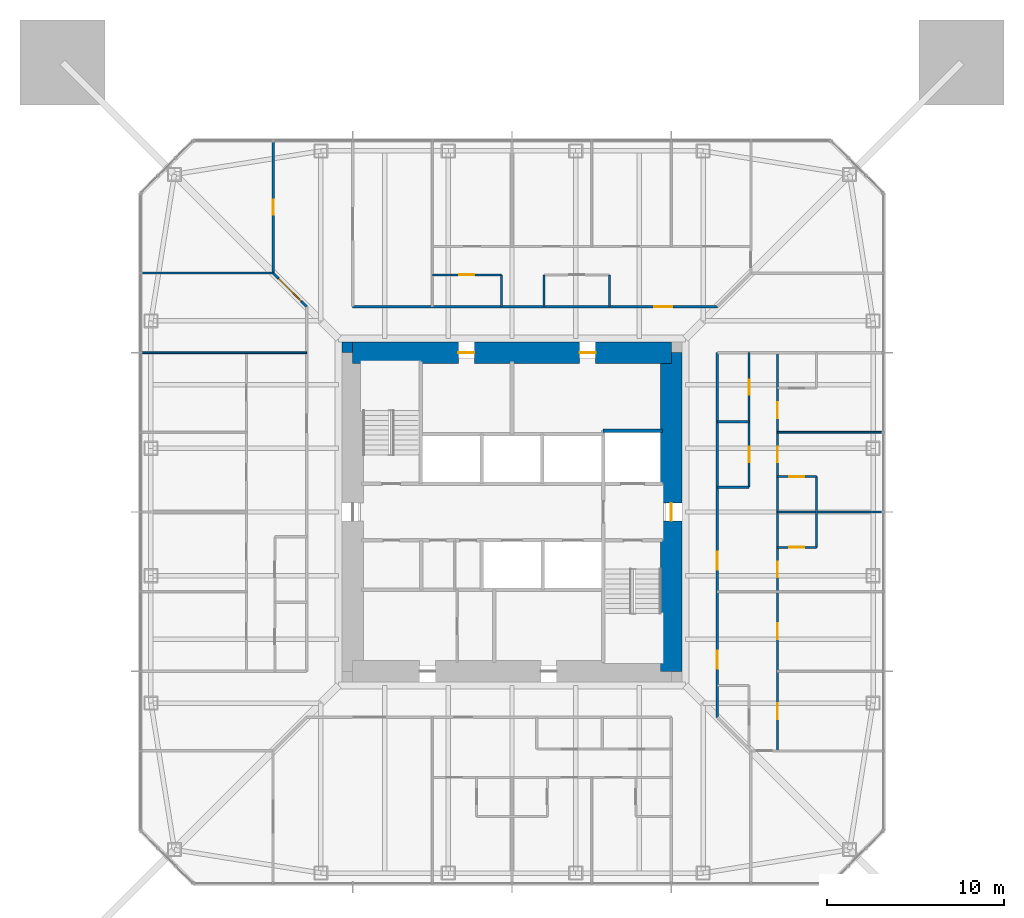
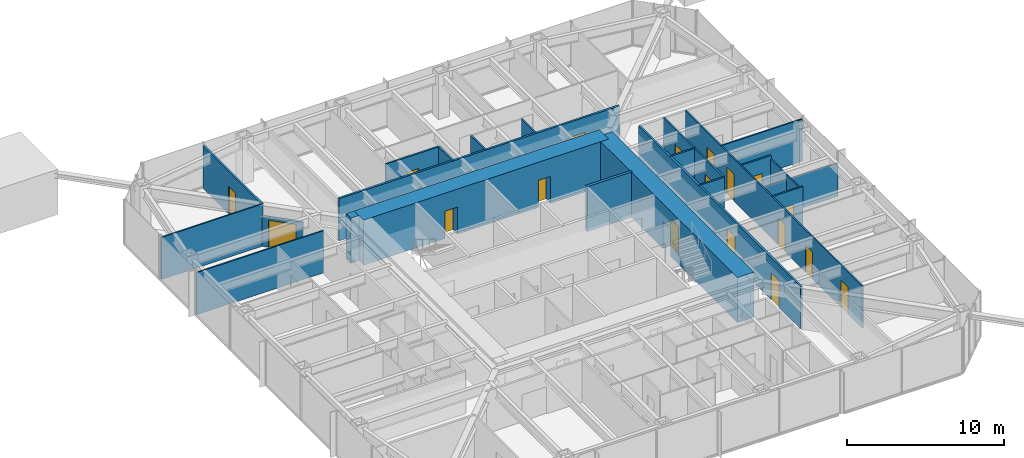
# One storey, part 9 of 14: 23 walls, 18 doors, 18 openings.
"""IFC4 building model written with IfcOpenShell, lengths in metres."""

import ifcopenshell
import ifcopenshell.guid

model = None  # the IFC model being written
_history = None  # IfcOwnerHistory: only IFC2X3 demands one
_inside = {}  # id of a spatial element -> (the spatial element, [elements in it])
_under = {}  # id of a project, library or spatial element -> (it, [spatial elements below it])
_declared = {}  # id of a project -> (the project, [libraries it declares])
_typed = {}  # id of a type object -> (the type object, [elements of that type])
_made_of = {}  # id of a material, layer set ... -> (it, [elements and type objects made of it])


def new_model(schema):
    """Start an empty IFC model of exactly this schema.

    Asked for "IFC4X3", IfcOpenShell would pick the latest addendum, in which some entities
    have other attributes; the version numbers below select the first issue.
    IFC2X3 requires an IfcOwnerHistory on every rooted entity: one is made here for all.
    """
    global model, _history
    if schema == "IFC4X3":
        model = ifcopenshell.file(schema_version=(4, 3, 0, 0))
    else:
        model = ifcopenshell.file(schema=schema)
    _inside.clear()
    _under.clear()
    _declared.clear()
    _typed.clear()
    _made_of.clear()
    _history = None
    if model.schema == "IFC2X3":
        org = make("IfcOrganization", Name="unknown")
        user = make(
            "IfcPersonAndOrganization",
            ThePerson=make("IfcPerson", FamilyName="unknown"),
            TheOrganization=org,
        )
        app = make(
            "IfcApplication",
            ApplicationDeveloper=org,
            Version="unknown",
            ApplicationFullName="unknown",
            ApplicationIdentifier="unknown",
        )
        _history = make(
            "IfcOwnerHistory",
            OwningUser=user,
            OwningApplication=app,
            ChangeAction="ADDED",
            CreationDate=0,
        )
    return model


def make(cls, **values):
    """One entity of the class cls with the attributes given. An attribute that is None is left unset."""
    return model.create_entity(
        cls, **{name: value for name, value in values.items() if value is not None}
    )


def rooted(cls, **values):
    """An entity with a GlobalId (a new one), such as an element, a storey or a relation."""
    return make(cls, GlobalId=ifcopenshell.guid.new(), OwnerHistory=_history, **values)


def si_unit(unit_type, name, prefix=None):
    """IfcSIUnit, for example si_unit("LENGTHUNIT", "METRE", prefix="MILLI")."""
    return make("IfcSIUnit", UnitType=unit_type, Prefix=prefix, Name=name)


def assignment(units):
    """IfcUnitAssignment: the units of a project."""
    return None if units is None else make("IfcUnitAssignment", Units=units)


def point(xyz):
    """IfcCartesianPoint."""
    return None if xyz is None else make("IfcCartesianPoint", Coordinates=xyz)


def direction(xyz):
    """IfcDirection."""
    return None if xyz is None else make("IfcDirection", DirectionRatios=xyz)


def frame(location, z_axis=None, x_axis=None):
    """IfcAxis2Placement3D, a coordinate frame: its origin and axes. An axis left out is left unset."""
    return make(
        "IfcAxis2Placement3D",
        Location=point(location),
        Axis=direction(z_axis),
        RefDirection=direction(x_axis),
    )


def frame_2d(location, x_axis=None):
    """IfcAxis2Placement2D, a coordinate frame in the plane: its origin and x axis."""
    return make(
        "IfcAxis2Placement2D", Location=point(location), RefDirection=direction(x_axis)
    )


def origin():
    """The frame at (0, 0, 0) with its axes left unset."""
    return frame((0.0, 0.0, 0.0))


def place(relative_to, where):
    """IfcLocalPlacement: puts the frame where relative to a parent placement (None: the world)."""
    return make(
        "IfcLocalPlacement", PlacementRelTo=relative_to, RelativePlacement=where
    )


def context(
    kind, dimensions, precision=None, world=None, true_north=None, identifier=None
):
    """IfcGeometricRepresentationContext, for example the 3D "Model" context."""
    return make(
        "IfcGeometricRepresentationContext",
        ContextIdentifier=identifier,
        ContextType=kind,
        CoordinateSpaceDimension=dimensions,
        Precision=precision,
        WorldCoordinateSystem=world,
        TrueNorth=true_north,
    )


def subcontext(parent, identifier, kind, view, scale=None):
    """IfcGeometricRepresentationSubContext, for example "Body" below "Model"."""
    return make(
        "IfcGeometricRepresentationSubContext",
        ContextIdentifier=identifier,
        ContextType=kind,
        ParentContext=parent,
        TargetScale=scale,
        TargetView=view,
    )


def project(units=None, contexts=None):
    """IfcProject with its units and contexts."""
    return rooted(
        "IfcProject",
        Name="project",
        RepresentationContexts=contexts,
        UnitsInContext=assignment(units),
    )


def spatial(cls, under=None, at=None, **own):
    """A site, building, storey or space (cls), placed at a placement, below another one or the project."""
    s = rooted(cls, ObjectPlacement=at, **own)
    if under is not None:
        _under.setdefault(under.id(), (under, []))[1].append(s)
    return s


def profile(cls, at=None, kind="AREA", **sizes):
    """A parametric profile (cls). Its sizes go by their IFC names, for example OverallWidth=200.0."""
    return make(cls, ProfileType=kind, Position=at, **sizes)


def rectangle(**sizes):
    """IfcRectangleProfileDef."""
    return profile("IfcRectangleProfileDef", **sizes)


def extrude(swept, where, along, depth):
    """IfcExtrudedAreaSolid: the profile swept, set in the frame where, extruded along a direction by depth."""
    return make(
        "IfcExtrudedAreaSolid",
        SweptArea=swept,
        Position=where,
        ExtrudedDirection=direction(along),
        Depth=depth,
    )


def shape(context_of_items, identifier, shape_type, items):
    """IfcShapeRepresentation: the items that make up one representation, for example the "Body"."""
    return make(
        "IfcShapeRepresentation",
        ContextOfItems=context_of_items,
        RepresentationIdentifier=identifier,
        RepresentationType=shape_type,
        Items=items,
    )


def material(Name=None, Category=None):
    """IfcMaterial."""
    return make("IfcMaterial", Name=Name, Category=Category)


def layer(
    of_material, thickness, ventilated=None, Name=None, Category=None, Priority=None
):
    """IfcMaterialLayer: one layer of a wall or slab, of a material (None: an air gap)."""
    return make(
        "IfcMaterialLayer",
        Material=of_material,
        LayerThickness=thickness,
        IsVentilated=ventilated,
        Name=Name,
        Category=Category,
        Priority=Priority,
    )


def layer_set(layers, Name=None):
    """IfcMaterialLayerSet."""
    return make("IfcMaterialLayerSet", MaterialLayers=layers, LayerSetName=Name)


def made_of(thing, what):
    """Note that an element or type object is made of a material, layer set ...; save() writes the relation."""
    if what is not None:
        _made_of.setdefault(what.id(), (what, []))[1].append(thing)
    return thing


def type_object(cls, material=None, **own):
    """A type object (cls), such as IfcWallType, which elements share."""
    return made_of(rooted(cls, **own), material)


def element(
    cls,
    number,
    at=None,
    inside=None,
    cuts=None,
    type_object=None,
    material=None,
    context=None,
    identifier="Body",
    shape_type=None,
    held_by="IfcProductDefinitionShape",
    body=None,
    shapes=None,
    **own,
):
    """One element of the class cls, such as IfcWall. Its Tag is "e" and its number.

    at: its placement. inside: the storey or other place that contains it. cuts: it is an
    opening in that element (IfcRelVoidsElement). A single representation is given by context,
    identifier, shape_type and body (its items); several are given by shapes. held_by: the class
    of the entity that holds the representations. save() writes the other relations.
    """
    e = rooted(cls, Tag="e%d" % number, ObjectPlacement=at, **own)
    if body is not None:
        shapes = [shape(context, identifier, shape_type, body)]
    if shapes is not None:
        e.Representation = make(held_by, Representations=shapes)
    if inside is not None:
        _inside.setdefault(inside.id(), (inside, []))[1].append(e)
    if cuts is not None:
        rooted(
            "IfcRelVoidsElement", RelatingBuildingElement=cuts, RelatedOpeningElement=e
        )
    if type_object is not None:
        _typed.setdefault(type_object.id(), (type_object, []))[1].append(e)
    return made_of(e, material)


def fill(opening, filler):
    """IfcRelFillsElement: the door or window that sits in an opening."""
    return rooted(
        "IfcRelFillsElement",
        RelatingOpeningElement=opening,
        RelatedBuildingElement=filler,
    )


def aggregate(whole, parts):
    """IfcRelAggregates: a whole, such as a stair, and the parts it consists of."""
    return rooted("IfcRelAggregates", RelatingObject=whole, RelatedObjects=parts)


def save(model, path):
    """Write the relations noted so far, then the file.

    IfcRelAggregates (storeys below a building ...), IfcRelContainedInSpatialStructure (elements
    in a storey), IfcRelDefinesByType, IfcRelAssociatesMaterial and IfcRelDeclares: one each for
    every whole, place, type object, material and project.
    """
    for whole, parts in _under.values():
        aggregate(whole, parts)
    for where, things in _inside.values():
        rooted(
            "IfcRelContainedInSpatialStructure",
            RelatedElements=things,
            RelatingStructure=where,
        )
    for kind, things in _typed.values():
        rooted("IfcRelDefinesByType", RelatedObjects=things, RelatingType=kind)
    for what, things in _made_of.values():
        rooted("IfcRelAssociatesMaterial", RelatedObjects=things, RelatingMaterial=what)
    for by, libraries in _declared.values():
        rooted("IfcRelDeclares", RelatingContext=by, RelatedDefinitions=libraries)
    model.write(path)


model = new_model("IFC4")

# Units and contexts
model_context = context("Model", 3, precision=1e-05, world=origin(), true_north=direction((0.0, 1.0)))
body_context = subcontext(model_context, "Body", "Model", "MODEL_VIEW")
ifc_project = project(units=[si_unit("LENGTHUNIT", "METRE"), si_unit("AREAUNIT", "SQUARE_METRE"), si_unit("VOLUMEUNIT", "CUBIC_METRE"), si_unit("PLANEANGLEUNIT", "RADIAN"), si_unit("MASSUNIT", "GRAM", prefix="KILO")], contexts=[model_context])

# Site, building, storey
site_placement = place(None, origin())
site = spatial("IfcSite", under=ifc_project, at=site_placement, CompositionType="ELEMENT")
building_placement = place(site_placement, origin())
building = spatial("IfcBuilding", under=site, at=building_placement, Name="Iwan Alto Co-Living Towers", CompositionType="ELEMENT")
storey_placement = place(building_placement, frame((0.0, 0.0, 136.5)))
storey = spatial("IfcBuildingStorey", under=building, at=storey_placement, Name="L37", CompositionType="ELEMENT", Elevation=136.5)

# Wall, opening, door
ifc_material_1 = material(Name="Gypsum board")
ifc_layer_1 = layer(ifc_material_1, 0.02490234375, Name="Board", Category="Finish")
ifc_material_2 = material(Name="Steel ASTM A1003 ST33H cold-formed studs", Category="steel")
ifc_layer_2 = layer(ifc_material_2, 0.10009765625, Name="Studs", Category="Framing")
ifc_layer_3 = layer(ifc_material_1, 0.02490234375, Name="Board", Category="Finish")
ifc_layer_set_1 = layer_set([ifc_layer_1, ifc_layer_2, ifc_layer_3], Name="CORRIDOR WALL 150")
wall_type_1 = type_object("IfcWallType", Name="CORRIDOR WALL 150", PredefinedType="PARTITIONING", material=ifc_layer_set_1)
wall_1_placement = place(storey_placement, frame((-9.0, 11.60009765625, 0.0), z_axis=(0.0, 0.0, 1.0), x_axis=(1.0, 0.0, 0.0)))
wall_1 = element("IfcWall", 1, at=wall_1_placement, inside=storey, type_object=wall_type_1, Name="Partition L37", PredefinedType="PARTITIONING", context=body_context, shape_type="SweptSolid", body=[
    extrude(rectangle(XDim=20.60009765625, YDim=0.14990234375, at=frame_2d((10.300048828125, 0.0))), origin(), (0.0, 0.0, 1.0), 3.27001953125),
])
opening_1_placement = place(wall_1_placement, frame((17.050048828125, 0.0, 0.0)))
opening_1 = element("IfcOpeningElement", 2, at=opening_1_placement, cuts=wall_1, Name="Opening D3", PredefinedType="OPENING", context=body_context, shape_type="SweptSolid", body=[
    extrude(rectangle(XDim=1.0, YDim=2.10009765625, at=frame_2d((0.5, 1.050048828125))), frame((0.0, 0.0849609375, 0.0), z_axis=(0.0, -1.0, 0.0), x_axis=(1.0, 0.0, 0.0)), (0.0, 0.0, 1.0), 0.169921875),
])
ifc_material_3 = material(Name="Steel frame with timber leaf", Category="steel")
door_type_1 = type_object("IfcDoorType", Name="FLAT ENTRANCE DOOR FD30S 1000X2100", OperationType="SINGLE_SWING_LEFT", PredefinedType="DOOR", material=ifc_material_3)
door_1_placement = place(opening_1_placement, origin())
door_1 = element("IfcDoor", 3, at=door_1_placement, inside=storey, type_object=door_type_1, Name="Cluster lounge door L37", OperationType="SINGLE_SWING_LEFT", OverallHeight=2.10009765625, OverallWidth=1.0, PredefinedType="DOOR", context=body_context, shape_type="SweptSolid", body=[
    extrude(rectangle(XDim=1.0, YDim=2.10009765625, at=frame_2d((0.5, 1.050048828125))), frame((0.0, 0.02490234375, 0.0), z_axis=(0.0, -1.0, 0.0), x_axis=(1.0, 0.0, 0.0)), (0.0, 0.0, 1.0), 0.050048828125),
])
fill(opening_1, door_1)

# Wall, openings, doors
wall_2_placement = place(storey_placement, frame((11.60009765625, -11.60009765625, 0.0), z_axis=(0.0, 0.0, 1.0), x_axis=(0.0, 1.0, 0.0)))
wall_2 = element("IfcWall", 4, at=wall_2_placement, inside=storey, type_object=wall_type_1, Name="Partition L37", PredefinedType="PARTITIONING", context=body_context, shape_type="SweptSolid", body=[
    extrude(rectangle(XDim=20.60009765625, YDim=0.14990234375, at=frame_2d((10.300048828125, 0.0))), origin(), (0.0, 0.0, 1.0), 3.27001953125),
])
opening_2_placement = place(wall_2_placement, frame((2.75, 0.0, 0.0)))
opening_2 = element("IfcOpeningElement", 5, at=opening_2_placement, cuts=wall_2, Name="Opening D3", PredefinedType="OPENING", context=body_context, shape_type="SweptSolid", body=[
    extrude(rectangle(XDim=1.0, YDim=2.10009765625, at=frame_2d((0.5, 1.050048828125))), frame((0.0, 0.0849609375, 0.0), z_axis=(0.0, -1.0, 0.0), x_axis=(1.0, 0.0, 0.0)), (0.0, 0.0, 1.0), 0.169921875),
])
opening_3_placement = place(wall_2_placement, frame((8.35009765625, 0.0, 0.0)))
opening_3 = element("IfcOpeningElement", 6, at=opening_3_placement, cuts=wall_2, Name="Opening D3", PredefinedType="OPENING", context=body_context, shape_type="SweptSolid", body=[
    extrude(rectangle(XDim=1.0, YDim=2.10009765625, at=frame_2d((0.5, 1.050048828125))), frame((0.0, 0.0849609375, 0.0), z_axis=(0.0, -1.0, 0.0), x_axis=(1.0, 0.0, 0.0)), (0.0, 0.0, 1.0), 0.169921875),
])
door_2_placement = place(opening_2_placement, frame((1.0, 0.0, 0.0), z_axis=(0.0, 0.0, 1.0), x_axis=(-1.0, 0.0, 0.0)))
door_2 = element("IfcDoor", 7, at=door_2_placement, inside=storey, type_object=door_type_1, Name="Cluster lounge door L37", OperationType="SINGLE_SWING_RIGHT", OverallHeight=2.10009765625, OverallWidth=1.0, PredefinedType="DOOR", context=body_context, shape_type="SweptSolid", body=[
    extrude(rectangle(XDim=1.0, YDim=2.10009765625, at=frame_2d((0.5, 1.050048828125))), frame((0.0, 0.02490234375, 0.0), z_axis=(0.0, -1.0, 0.0), x_axis=(1.0, 0.0, 0.0)), (0.0, 0.0, 1.0), 0.050048828125),
])
fill(opening_2, door_2)
door_3_placement = place(opening_3_placement, frame((1.0, 0.0, 0.0), z_axis=(0.0, 0.0, 1.0), x_axis=(-1.0, 0.0, 0.0)))
door_3 = element("IfcDoor", 8, at=door_3_placement, inside=storey, type_object=door_type_1, Name="Cluster lounge and shared kitchen door L37", OperationType="SINGLE_SWING_RIGHT", OverallHeight=2.10009765625, OverallWidth=1.0, PredefinedType="DOOR", context=body_context, shape_type="SweptSolid", body=[
    extrude(rectangle(XDim=1.0, YDim=2.10009765625, at=frame_2d((0.5, 1.050048828125))), frame((0.0, 0.02490234375, 0.0), z_axis=(0.0, -1.0, 0.0), x_axis=(1.0, 0.0, 0.0)), (0.0, 0.0, 1.0), 0.050048828125),
])
fill(opening_3, door_3)

# Wall, opening, door
wall_3_placement = place(storey_placement, frame((-13.5, 13.5, 0.0), z_axis=(0.0, 0.0, 1.0), x_axis=(0.0, 1.0, 0.0)))
wall_3 = element("IfcWall", 9, at=wall_3_placement, inside=storey, type_object=wall_type_1, Name="Partition L37", PredefinedType="PARTITIONING", context=body_context, shape_type="SweptSolid", body=[
    extrude(rectangle(XDim=7.43994140625, YDim=0.14990234375, at=frame_2d((3.719970703125, 0.0))), origin(), (0.0, 0.0, 1.0), 3.27001953125),
])
opening_4_placement = place(wall_3_placement, frame((3.294921875, 0.0, 0.0)))
opening_4 = element("IfcOpeningElement", 10, at=opening_4_placement, cuts=wall_3, Name="Opening D2", PredefinedType="OPENING", context=body_context, shape_type="SweptSolid", body=[
    extrude(rectangle(XDim=0.85009765625, YDim=2.10009765625, at=frame_2d((0.425048828125, 1.050048828125))), frame((0.0, 0.0849609375, 0.0), z_axis=(0.0, -1.0, 0.0), x_axis=(1.0, 0.0, 0.0)), (0.0, 0.0, 1.0), 0.169921875),
])
ifc_material_4 = material(Name="Timber leaf in steel frame", Category="steel")
door_type_2 = type_object("IfcDoorType", Name="ROOM DOOR 850X2100", OperationType="SINGLE_SWING_LEFT", PredefinedType="DOOR", material=ifc_material_4)
door_4_placement = place(opening_4_placement, origin())
door_4 = element("IfcDoor", 11, at=door_4_placement, inside=storey, type_object=door_type_2, Name="Shared kitchen and lounge door L37", OperationType="SINGLE_SWING_LEFT", OverallHeight=2.10009765625, OverallWidth=0.85009765625, PredefinedType="DOOR", context=body_context, shape_type="SweptSolid", body=[
    extrude(rectangle(XDim=0.85009765625, YDim=2.10009765625, at=frame_2d((0.425048828125, 1.050048828125))), frame((0.0, 0.02490234375, 0.0), z_axis=(0.0, -1.0, 0.0), x_axis=(1.0, 0.0, 0.0)), (0.0, 0.0, 1.0), 0.050048828125),
])
fill(opening_4, door_4)

wall_4_placement = place(storey_placement, frame((-11.60009765625, 11.60009765625, 0.0), z_axis=(0.0, 0.0, 1.0), x_axis=(-0.707106781187, 0.707106781187, 0.0)))
wall_4 = element("IfcWall", 12, at=wall_4_placement, inside=storey, type_object=wall_type_1, Name="Partition L37", PredefinedType="PARTITIONING", context=body_context, shape_type="SweptSolid", body=[
    extrude(rectangle(XDim=2.686767578125, YDim=0.14990234375, at=frame_2d((1.34326171875, 0.0))), origin(), (0.0, 0.0, 1.0), 2.343017578125),
])
opening_5_placement = place(wall_4_placement, frame((0.444091796875, 0.0, 0.0)))
opening_5 = element("IfcOpeningElement", 13, at=opening_5_placement, cuts=wall_4, Name="Opening D9", PredefinedType="OPENING", context=body_context, shape_type="SweptSolid", body=[
    extrude(rectangle(XDim=1.800048828125, YDim=2.10009765625, at=frame_2d((0.89990234375, 1.050048828125))), frame((0.0, 0.0849609375, 0.0), z_axis=(0.0, -1.0, 0.0), x_axis=(1.0, 0.0, 0.0)), (0.0, 0.0, 1.0), 0.169921875),
])
ifc_material_5 = material(Name="Steel frame with timber leaf", Category="steel")
door_type_3 = type_object("IfcDoorType", Name="LOUNGE DOOR FD30S 1800X2100", OperationType="DOUBLE_DOOR_SINGLE_SWING", PredefinedType="DOOR", material=ifc_material_5)
door_5_placement = place(opening_5_placement, origin())
door_5 = element("IfcDoor", 14, at=door_5_placement, inside=storey, type_object=door_type_3, Name="Reading room door L37", OperationType="DOUBLE_DOOR_SINGLE_SWING", OverallHeight=2.10009765625, OverallWidth=1.800048828125, PredefinedType="DOOR", context=body_context, shape_type="SweptSolid", body=[
    extrude(rectangle(XDim=1.800048828125, YDim=2.10009765625, at=frame_2d((0.89990234375, 1.050048828125))), frame((0.0, 0.02490234375, 0.0), z_axis=(0.0, -1.0, 0.0), x_axis=(1.0, 0.0, 0.0)), (0.0, 0.0, 1.0), 0.050048828125),
])
fill(opening_5, door_5)

# Walls
ifc_layer_4 = layer(ifc_material_1, 0.012451171875, Name="Board", Category="Finish")
ifc_layer_5 = layer(ifc_material_2, 0.074951171875, Name="Studs", Category="Framing")
ifc_layer_6 = layer(ifc_material_1, 0.012451171875, Name="Board", Category="Finish")
ifc_layer_set_2 = layer_set([ifc_layer_4, ifc_layer_5, ifc_layer_6], Name="PARTITION 100")
wall_type_2 = type_object("IfcWallType", Name="PARTITION 100", PredefinedType="PARTITIONING", material=ifc_layer_set_2)
wall_5_placement = place(storey_placement, frame((15.0, 0.0, 0.0), z_axis=(0.0, 0.0, 1.0), x_axis=(1.0, 0.0, 0.0)))
element("IfcWall", 15, at=wall_5_placement, inside=storey, type_object=wall_type_2, Name="Partition L37", PredefinedType="PARTITIONING", context=body_context, shape_type="SweptSolid", body=[
    extrude(rectangle(XDim=5.93994140625, YDim=0.10009765625, at=frame_2d((2.969970703125, 0.0))), origin(), (0.0, 0.0, 1.0), 2.586669921875),
])
wall_6_placement = place(storey_placement, frame((15.0, 4.5, 0.0), z_axis=(0.0, 0.0, 1.0), x_axis=(1.0, 0.0, 0.0)))
element("IfcWall", 16, at=wall_6_placement, inside=storey, type_object=wall_type_2, Name="Partition L37", PredefinedType="PARTITIONING", context=body_context, shape_type="SweptSolid", body=[
    extrude(rectangle(XDim=5.93994140625, YDim=0.10009765625, at=frame_2d((2.969970703125, 0.0))), origin(), (0.0, 0.0, 1.0), 3.27001953125),
])
wall_7_placement = place(storey_placement, frame((-20.93994140625, 9.0, 0.0), z_axis=(0.0, 0.0, 1.0), x_axis=(1.0, 0.0, 0.0)))
element("IfcWall", 17, at=wall_7_placement, inside=storey, type_object=wall_type_2, Name="Partition L37", PredefinedType="PARTITIONING", context=body_context, shape_type="SweptSolid", body=[
    extrude(rectangle(XDim=9.33984375, YDim=0.10009765625, at=frame_2d((4.669921875, 0.0))), origin(), (0.0, 0.0, 1.0), 3.27001953125),
])
wall_8_placement = place(storey_placement, frame((-20.93994140625, 13.5, 0.0), z_axis=(0.0, 0.0, 1.0), x_axis=(1.0, 0.0, 0.0)))
element("IfcWall", 18, at=wall_8_placement, inside=storey, type_object=wall_type_2, Name="Partition L37", PredefinedType="PARTITIONING", context=body_context, shape_type="SweptSolid", body=[
    extrude(rectangle(XDim=7.43994140625, YDim=0.10009765625, at=frame_2d((3.719970703125, 0.0))), origin(), (0.0, 0.0, 1.0), 3.27001953125),
])
wall_9_placement = place(storey_placement, frame((17.199951171875, -2.0, 0.0), z_axis=(0.0, 0.0, 1.0), x_axis=(0.0, 1.0, 0.0)))
element("IfcWall", 19, at=wall_9_placement, inside=storey, type_object=wall_type_2, Name="Partition L37", PredefinedType="PARTITIONING", context=body_context, shape_type="SweptSolid", body=[
    extrude(rectangle(XDim=4.0, YDim=0.10009765625, at=frame_2d((2.0, 0.0))), origin(), (0.0, 0.0, 1.0), 3.0),
])

# Wall, openings, doors
wall_10_placement = place(storey_placement, frame((15.0, -13.5, 0.0), z_axis=(0.0, 0.0, 1.0), x_axis=(0.0, 1.0, 0.0)))
wall_10 = element("IfcWall", 20, at=wall_10_placement, inside=storey, type_object=wall_type_2, Name="Partition L37", PredefinedType="PARTITIONING", context=body_context, shape_type="SweptSolid", body=[
    extrude(rectangle(XDim=22.5, YDim=0.10009765625, at=frame_2d((11.25, 0.0))), origin(), (0.0, 0.0, 1.0), 3.27001953125),
])
opening_6_placement = place(wall_10_placement, frame((1.800048828125, 0.0, 0.0)))
opening_6 = element("IfcOpeningElement", 21, at=opening_6_placement, cuts=wall_10, Name="Opening D1", PredefinedType="OPENING", context=body_context, shape_type="SweptSolid", body=[
    extrude(rectangle(XDim=0.89990234375, YDim=2.10009765625, at=frame_2d((0.449951171875, 1.050048828125))), frame((0.0, 0.06005859375, 0.0), z_axis=(0.0, -1.0, 0.0), x_axis=(1.0, 0.0, 0.0)), (0.0, 0.0, 1.0), 0.1201171875),
])
opening_7_placement = place(wall_10_placement, frame((6.300048828125, 0.0, 0.0)))
opening_7 = element("IfcOpeningElement", 22, at=opening_7_placement, cuts=wall_10, Name="Opening D1", PredefinedType="OPENING", context=body_context, shape_type="SweptSolid", body=[
    extrude(rectangle(XDim=0.89990234375, YDim=2.10009765625, at=frame_2d((0.449951171875, 1.050048828125))), frame((0.0, 0.06005859375, 0.0), z_axis=(0.0, -1.0, 0.0), x_axis=(1.0, 0.0, 0.0)), (0.0, 0.0, 1.0), 0.1201171875),
])
opening_8_placement = place(wall_10_placement, frame((9.800048828125, 0.0, 0.0)))
opening_8 = element("IfcOpeningElement", 23, at=opening_8_placement, cuts=wall_10, Name="Opening D1", PredefinedType="OPENING", context=body_context, shape_type="SweptSolid", body=[
    extrude(rectangle(XDim=0.89990234375, YDim=2.10009765625, at=frame_2d((0.449951171875, 1.050048828125))), frame((0.0, 0.06005859375, 0.0), z_axis=(0.0, -1.0, 0.0), x_axis=(1.0, 0.0, 0.0)), (0.0, 0.0, 1.0), 0.1201171875),
])
opening_9_placement = place(wall_10_placement, frame((16.300048828125, 0.0, 0.0)))
opening_9 = element("IfcOpeningElement", 24, at=opening_9_placement, cuts=wall_10, Name="Opening D1", PredefinedType="OPENING", context=body_context, shape_type="SweptSolid", body=[
    extrude(rectangle(XDim=0.89990234375, YDim=2.10009765625, at=frame_2d((0.449951171875, 1.050048828125))), frame((0.0, 0.06005859375, 0.0), z_axis=(0.0, -1.0, 0.0), x_axis=(1.0, 0.0, 0.0)), (0.0, 0.0, 1.0), 0.1201171875),
])
opening_10_placement = place(wall_10_placement, frame((18.800048828125, 0.0, 0.0)))
opening_10 = element("IfcOpeningElement", 25, at=opening_10_placement, cuts=wall_10, Name="Opening D1", PredefinedType="OPENING", context=body_context, shape_type="SweptSolid", body=[
    extrude(rectangle(XDim=0.89990234375, YDim=2.10009765625, at=frame_2d((0.449951171875, 1.050048828125))), frame((0.0, 0.06005859375, 0.0), z_axis=(0.0, -1.0, 0.0), x_axis=(1.0, 0.0, 0.0)), (0.0, 0.0, 1.0), 0.1201171875),
])
ifc_material_6 = material(Name="Timber leaf in steel frame", Category="steel")
door_type_4 = type_object("IfcDoorType", Name="BEDROOM DOOR 900X2100", OperationType="SINGLE_SWING_LEFT", PredefinedType="DOOR", material=ifc_material_6)
door_6_placement = place(opening_6_placement, frame((0.89990234375, 0.0, 0.0), z_axis=(0.0, 0.0, 1.0), x_axis=(-1.0, 0.0, 0.0)))
door_6 = element("IfcDoor", 26, at=door_6_placement, inside=storey, type_object=door_type_4, Name="Study bedroom door L37", OperationType="SINGLE_SWING_RIGHT", OverallHeight=2.10009765625, OverallWidth=0.89990234375, PredefinedType="DOOR", context=body_context, shape_type="SweptSolid", body=[
    extrude(rectangle(XDim=0.89990234375, YDim=2.10009765625, at=frame_2d((0.449951171875, 1.050048828125))), frame((0.0, 0.02490234375, 0.0), z_axis=(0.0, -1.0, 0.0), x_axis=(1.0, 0.0, 0.0)), (0.0, 0.0, 1.0), 0.050048828125),
])
fill(opening_6, door_6)
door_7_placement = place(opening_7_placement, frame((0.89990234375, 0.0, 0.0), z_axis=(0.0, 0.0, 1.0), x_axis=(-1.0, 0.0, 0.0)))
door_7 = element("IfcDoor", 27, at=door_7_placement, inside=storey, type_object=door_type_4, Name="Study bedroom door L37", OperationType="SINGLE_SWING_RIGHT", OverallHeight=2.10009765625, OverallWidth=0.89990234375, PredefinedType="DOOR", context=body_context, shape_type="SweptSolid", body=[
    extrude(rectangle(XDim=0.89990234375, YDim=2.10009765625, at=frame_2d((0.449951171875, 1.050048828125))), frame((0.0, 0.02490234375, 0.0), z_axis=(0.0, -1.0, 0.0), x_axis=(1.0, 0.0, 0.0)), (0.0, 0.0, 1.0), 0.050048828125),
])
fill(opening_7, door_7)
door_8_placement = place(opening_8_placement, origin())
door_8 = element("IfcDoor", 28, at=door_8_placement, inside=storey, type_object=door_type_4, Name="Study bedroom door L37", OperationType="SINGLE_SWING_LEFT", OverallHeight=2.10009765625, OverallWidth=0.89990234375, PredefinedType="DOOR", context=body_context, shape_type="SweptSolid", body=[
    extrude(rectangle(XDim=0.89990234375, YDim=2.10009765625, at=frame_2d((0.449951171875, 1.050048828125))), frame((0.0, 0.02490234375, 0.0), z_axis=(0.0, -1.0, 0.0), x_axis=(1.0, 0.0, 0.0)), (0.0, 0.0, 1.0), 0.050048828125),
])
fill(opening_8, door_8)
door_9_placement = place(opening_9_placement, origin())
door_9 = element("IfcDoor", 29, at=door_9_placement, inside=storey, type_object=door_type_4, Name="Study bedroom door L37", OperationType="SINGLE_SWING_RIGHT", OverallHeight=2.10009765625, OverallWidth=0.89990234375, PredefinedType="DOOR", context=body_context, shape_type="SweptSolid", body=[
    extrude(rectangle(XDim=0.89990234375, YDim=2.10009765625, at=frame_2d((0.449951171875, 1.050048828125))), frame((0.0, 0.02490234375, 0.0), z_axis=(0.0, -1.0, 0.0), x_axis=(1.0, 0.0, 0.0)), (0.0, 0.0, 1.0), 0.050048828125),
])
fill(opening_9, door_9)
door_10_placement = place(opening_10_placement, origin())
door_10 = element("IfcDoor", 30, at=door_10_placement, inside=storey, type_object=door_type_4, Name="Study bedroom door L37", OperationType="SINGLE_SWING_RIGHT", OverallHeight=2.10009765625, OverallWidth=0.89990234375, PredefinedType="DOOR", context=body_context, shape_type="SweptSolid", body=[
    extrude(rectangle(XDim=0.89990234375, YDim=2.10009765625, at=frame_2d((0.449951171875, 1.050048828125))), frame((0.0, 0.02490234375, 0.0), z_axis=(0.0, -1.0, 0.0), x_axis=(1.0, 0.0, 0.0)), (0.0, 0.0, 1.0), 0.050048828125),
])
fill(opening_10, door_10)

# Walls
ifc_material_7 = material(Name="Concrete f'c 70 MPa", Category="concrete")
ifc_layer_7 = layer(ifc_material_7, 0.199951171875)
ifc_layer_set_3 = layer_set([ifc_layer_7], Name="SHAFT WALL 200")
wall_type_3 = type_object("IfcWallType", Name="SHAFT WALL 200", PredefinedType="SOLIDWALL", material=ifc_layer_set_3)
wall_11_placement = place(storey_placement, frame((5.14990234375, 4.60009765625, 0.0), z_axis=(0.0, 0.0, 1.0), x_axis=(1.0, 0.0, 0.0)))
element("IfcWall", 31, at=wall_11_placement, inside=storey, type_object=wall_type_3, Name="Shaft wall L37", PredefinedType="SOLIDWALL", context=body_context, shape_type="SweptSolid", body=[
    extrude(rectangle(XDim=3.340087890625, YDim=0.199951171875, at=frame_2d((1.669921875, 0.0))), origin(), (0.0, 0.0, 1.0), 3.5),
])
ifc_material_8 = material(Name="Concrete f'c 70 MPa", Category="concrete")
ifc_layer_8 = layer(ifc_material_8, 0.60009765625)
ifc_layer_set_4 = layer_set([ifc_layer_8], Name="T1 CORE CORNER FILL 600")
wall_type_4 = type_object("IfcWallType", Name="T1 CORE CORNER FILL 600", PredefinedType="SOLIDWALL", material=ifc_layer_set_4)
wall_12_placement = place(storey_placement, frame((-9.60009765625, 9.300048828125, 0.0), z_axis=(0.0, 0.0, 1.0), x_axis=(1.0, 0.0, 0.0)))
element("IfcWall", 32, at=wall_12_placement, inside=storey, type_object=wall_type_4, Name="T1 core corner NW L37", PredefinedType="SOLIDWALL", context=body_context, shape_type="SweptSolid", body=[
    extrude(rectangle(XDim=0.60009765625, YDim=0.60009765625, at=frame_2d((0.300048828125, 0.0))), origin(), (0.0, 0.0, 1.0), 3.5),
])

# Wall, openings, doors
ifc_material_9 = material(Name="Concrete f'c 70 MPa", Category="concrete")
ifc_layer_9 = layer(ifc_material_9, 1.199951171875)
ifc_layer_set_5 = layer_set([ifc_layer_9], Name="T1 CORE WALL 1200")
wall_type_5 = type_object("IfcWallType", Name="T1 CORE WALL 1200", PredefinedType="SHEAR", material=ifc_layer_set_5)
wall_13_placement = place(storey_placement, frame((9.0, 9.0, 0.0), z_axis=(0.0, 0.0, 1.0), x_axis=(-1.0, 0.0, 0.0)))
wall_13 = element("IfcWall", 33, at=wall_13_placement, inside=storey, type_object=wall_type_5, Name="T1 core wall N L37", PredefinedType="SHEAR", context=body_context, shape_type="SweptSolid", body=[
    extrude(rectangle(XDim=18.0, YDim=1.199951171875, at=frame_2d((9.0, 0.0))), origin(), (0.0, 0.0, 1.0), 3.5),
])
opening_11_placement = place(wall_13_placement, frame((11.125, 0.0, 0.0)))
opening_11 = element("IfcOpeningElement", 34, at=opening_11_placement, cuts=wall_13, Name="Opening D8", PredefinedType="OPENING", context=body_context, shape_type="SweptSolid", body=[
    extrude(rectangle(XDim=0.89990234375, YDim=2.10009765625, at=frame_2d((0.449951171875, 1.050048828125))), frame((0.0, 0.60986328125, 0.0), z_axis=(0.0, -1.0, 0.0), x_axis=(1.0, 0.0, 0.0)), (0.0, 0.0, 1.0), 1.219970703125),
])
opening_12_placement = place(wall_13_placement, frame((4.27490234375, 0.0, 0.0)))
opening_12 = element("IfcOpeningElement", 35, at=opening_12_placement, cuts=wall_13, Name="Opening D8", PredefinedType="OPENING", context=body_context, shape_type="SweptSolid", body=[
    extrude(rectangle(XDim=0.89990234375, YDim=2.10009765625, at=frame_2d((0.449951171875, 1.050048828125))), frame((0.0, 0.60986328125, 0.0), z_axis=(0.0, -1.0, 0.0), x_axis=(1.0, 0.0, 0.0)), (0.0, 0.0, 1.0), 1.219970703125),
])
ifc_material_10 = material(Name="Steel frame with timber leaf", Category="steel")
door_type_5 = type_object("IfcDoorType", Name="RISER DOOR FD120 900X2100", OperationType="SINGLE_SWING_LEFT", PredefinedType="DOOR", material=ifc_material_10)
door_11_placement = place(opening_11_placement, origin())
door_11 = element("IfcDoor", 36, at=door_11_placement, inside=storey, type_object=door_type_5, Name="Electrical riser core door L37", OperationType="SINGLE_SWING_RIGHT", OverallHeight=2.10009765625, OverallWidth=0.89990234375, PredefinedType="DOOR", context=body_context, shape_type="SweptSolid", body=[
    extrude(rectangle(XDim=0.89990234375, YDim=2.10009765625, at=frame_2d((0.449951171875, 1.050048828125))), frame((0.0, 0.02490234375, 0.0), z_axis=(0.0, -1.0, 0.0), x_axis=(1.0, 0.0, 0.0)), (0.0, 0.0, 1.0), 0.050048828125),
])
fill(opening_11, door_11)
door_12_placement = place(opening_12_placement, origin())
door_12 = element("IfcDoor", 37, at=door_12_placement, inside=storey, type_object=door_type_5, Name="Water and drainage riser core door L37", OperationType="SINGLE_SWING_RIGHT", OverallHeight=2.10009765625, OverallWidth=0.89990234375, PredefinedType="DOOR", context=body_context, shape_type="SweptSolid", body=[
    extrude(rectangle(XDim=0.89990234375, YDim=2.10009765625, at=frame_2d((0.449951171875, 1.050048828125))), frame((0.0, 0.02490234375, 0.0), z_axis=(0.0, -1.0, 0.0), x_axis=(1.0, 0.0, 0.0)), (0.0, 0.0, 1.0), 0.050048828125),
])
fill(opening_12, door_12)

# Wall, opening, door
wall_14_placement = place(storey_placement, frame((9.0, -9.0, 0.0), z_axis=(0.0, 0.0, 1.0), x_axis=(0.0, 1.0, 0.0)))
wall_14 = element("IfcWall", 38, at=wall_14_placement, inside=storey, type_object=wall_type_5, Name="T1 core wall E L37", PredefinedType="SHEAR", context=body_context, shape_type="SweptSolid", body=[
    extrude(rectangle(XDim=18.0, YDim=1.199951171875, at=frame_2d((9.0, 0.0))), origin(), (0.0, 0.0, 1.0), 3.5),
])
opening_13_placement = place(wall_14_placement, frame((8.5, 0.0, 0.0)))
opening_13 = element("IfcOpeningElement", 39, at=opening_13_placement, cuts=wall_14, Name="Opening D7", PredefinedType="OPENING", context=body_context, shape_type="SweptSolid", body=[
    extrude(rectangle(XDim=1.0, YDim=2.10009765625, at=frame_2d((0.5, 1.050048828125))), frame((0.0, 0.60986328125, 0.0), z_axis=(0.0, -1.0, 0.0), x_axis=(1.0, 0.0, 0.0)), (0.0, 0.0, 1.0), 1.219970703125),
])
ifc_material_11 = material(Name="Steel frame with timber leaf", Category="steel")
door_type_6 = type_object("IfcDoorType", Name="CORE DOOR FD120S 1000X2100", OperationType="SINGLE_SWING_LEFT", PredefinedType="DOOR", material=ifc_material_11)
door_13_placement = place(opening_13_placement, origin())
door_13 = element("IfcDoor", 40, at=door_13_placement, inside=storey, type_object=door_type_6, Name="Firefighting lobby core door L37", OperationType="SINGLE_SWING_LEFT", OverallHeight=2.10009765625, OverallWidth=1.0, PredefinedType="DOOR", context=body_context, shape_type="SweptSolid", body=[
    extrude(rectangle(XDim=1.0, YDim=2.10009765625, at=frame_2d((0.5, 1.050048828125))), frame((0.0, 0.02490234375, 0.0), z_axis=(0.0, -1.0, 0.0), x_axis=(1.0, 0.0, 0.0)), (0.0, 0.0, 1.0), 0.050048828125),
])
fill(opening_13, door_13)

ifc_material_12 = material(Name="Cement board")
ifc_layer_10 = layer(ifc_material_12, 0.012451171875, Name="Board", Category="Finish")
ifc_layer_11 = layer(ifc_material_2, 0.094970703125, Name="Studs", Category="Framing")
ifc_layer_12 = layer(ifc_material_12, 0.012451171875, Name="Board", Category="Finish")
ifc_layer_set_6 = layer_set([ifc_layer_10, ifc_layer_11, ifc_layer_12], Name="WET AREA PARTITION 120")
wall_type_6 = type_object("IfcWallType", Name="WET AREA PARTITION 120", PredefinedType="PARTITIONING", material=ifc_layer_set_6)
wall_15_placement = place(storey_placement, frame((15.0, -2.0, 0.0), z_axis=(0.0, 0.0, 1.0), x_axis=(1.0, 0.0, 0.0)))
wall_15 = element("IfcWall", 41, at=wall_15_placement, inside=storey, type_object=wall_type_6, Name="Partition L37", PredefinedType="PARTITIONING", context=body_context, shape_type="SweptSolid", body=[
    extrude(rectangle(XDim=2.199951171875, YDim=0.1201171875, at=frame_2d((1.10009765625, 0.0))), origin(), (0.0, 0.0, 1.0), 3.27001953125),
])
opening_14_placement = place(wall_15_placement, frame((0.675048828125, 0.0, 0.0)))
opening_14 = element("IfcOpeningElement", 42, at=opening_14_placement, cuts=wall_15, Name="Opening D2", PredefinedType="OPENING", context=body_context, shape_type="SweptSolid", body=[
    extrude(rectangle(XDim=0.85009765625, YDim=2.10009765625, at=frame_2d((0.425048828125, 1.050048828125))), frame((0.0, 0.070068359375, 0.0), z_axis=(0.0, -1.0, 0.0), x_axis=(1.0, 0.0, 0.0)), (0.0, 0.0, 1.0), 0.14013671875),
])
door_14_placement = place(opening_14_placement, frame((0.85009765625, 0.0, 0.0), z_axis=(0.0, 0.0, 1.0), x_axis=(-1.0, 0.0, 0.0)))
door_14 = element("IfcDoor", 43, at=door_14_placement, inside=storey, type_object=door_type_2, Name="En-suite shower room door L37", OperationType="SINGLE_SWING_RIGHT", OverallHeight=2.10009765625, OverallWidth=0.85009765625, PredefinedType="DOOR", context=body_context, shape_type="SweptSolid", body=[
    extrude(rectangle(XDim=0.85009765625, YDim=2.10009765625, at=frame_2d((0.425048828125, 1.050048828125))), frame((0.0, 0.02490234375, 0.0), z_axis=(0.0, -1.0, 0.0), x_axis=(1.0, 0.0, 0.0)), (0.0, 0.0, 1.0), 0.050048828125),
])
fill(opening_14, door_14)

# Wall
wall_16_placement = place(storey_placement, frame((11.60009765625, 1.39990234375, 0.0), z_axis=(0.0, 0.0, 1.0), x_axis=(1.0, 0.0, 0.0)))
element("IfcWall", 44, at=wall_16_placement, inside=storey, type_object=wall_type_6, Name="Partition L37", PredefinedType="PARTITIONING", context=body_context, shape_type="SweptSolid", body=[
    extrude(rectangle(XDim=1.7998046875, YDim=0.1201171875, at=frame_2d((0.89990234375, 0.0))), origin(), (0.0, 0.0, 1.0), 3.27001953125),
])

# Wall, opening, door
wall_17_placement = place(storey_placement, frame((15.0, 2.0, 0.0), z_axis=(0.0, 0.0, 1.0), x_axis=(1.0, 0.0, 0.0)))
wall_17 = element("IfcWall", 45, at=wall_17_placement, inside=storey, type_object=wall_type_6, Name="Partition L37", PredefinedType="PARTITIONING", context=body_context, shape_type="SweptSolid", body=[
    extrude(rectangle(XDim=2.199951171875, YDim=0.1201171875, at=frame_2d((1.10009765625, 0.0))), origin(), (0.0, 0.0, 1.0), 3.27001953125),
])
opening_15_placement = place(wall_17_placement, frame((0.675048828125, 0.0, 0.0)))
opening_15 = element("IfcOpeningElement", 46, at=opening_15_placement, cuts=wall_17, Name="Opening D2", PredefinedType="OPENING", context=body_context, shape_type="SweptSolid", body=[
    extrude(rectangle(XDim=0.85009765625, YDim=2.10009765625, at=frame_2d((0.425048828125, 1.050048828125))), frame((0.0, 0.070068359375, 0.0), z_axis=(0.0, -1.0, 0.0), x_axis=(1.0, 0.0, 0.0)), (0.0, 0.0, 1.0), 0.14013671875),
])
door_15_placement = place(opening_15_placement, origin())
door_15 = element("IfcDoor", 47, at=door_15_placement, inside=storey, type_object=door_type_2, Name="En-suite shower room door L37", OperationType="SINGLE_SWING_LEFT", OverallHeight=2.10009765625, OverallWidth=0.85009765625, PredefinedType="DOOR", context=body_context, shape_type="SweptSolid", body=[
    extrude(rectangle(XDim=0.85009765625, YDim=2.10009765625, at=frame_2d((0.425048828125, 1.050048828125))), frame((0.0, 0.02490234375, 0.0), z_axis=(0.0, -1.0, 0.0), x_axis=(1.0, 0.0, 0.0)), (0.0, 0.0, 1.0), 0.050048828125),
])
fill(opening_15, door_15)

# Wall
wall_18_placement = place(storey_placement, frame((11.60009765625, 5.10009765625, 0.0), z_axis=(0.0, 0.0, 1.0), x_axis=(1.0, 0.0, 0.0)))
element("IfcWall", 48, at=wall_18_placement, inside=storey, type_object=wall_type_6, Name="Partition L37", PredefinedType="PARTITIONING", context=body_context, shape_type="SweptSolid", body=[
    extrude(rectangle(XDim=1.7998046875, YDim=0.1201171875, at=frame_2d((0.89990234375, 0.0))), origin(), (0.0, 0.0, 1.0), 3.27001953125),
])

# Wall, opening, door
wall_19_placement = place(storey_placement, frame((-4.5, 13.39990234375, 0.0), z_axis=(0.0, 0.0, 1.0), x_axis=(1.0, 0.0, 0.0)))
wall_19 = element("IfcWall", 49, at=wall_19_placement, inside=storey, type_object=wall_type_6, Name="Partition L37", PredefinedType="PARTITIONING", context=body_context, shape_type="SweptSolid", body=[
    extrude(rectangle(XDim=3.89990234375, YDim=0.1201171875, at=frame_2d((1.949951171875, 0.0))), origin(), (0.0, 0.0, 1.0), 3.27001953125),
])
opening_16_placement = place(wall_19_placement, frame((1.52490234375, 0.0, 0.0)))
opening_16 = element("IfcOpeningElement", 50, at=opening_16_placement, cuts=wall_19, Name="Opening D2", PredefinedType="OPENING", context=body_context, shape_type="SweptSolid", body=[
    extrude(rectangle(XDim=0.85009765625, YDim=2.10009765625, at=frame_2d((0.425048828125, 1.050048828125))), frame((0.0, 0.070068359375, 0.0), z_axis=(0.0, -1.0, 0.0), x_axis=(1.0, 0.0, 0.0)), (0.0, 0.0, 1.0), 0.14013671875),
])
door_16_placement = place(opening_16_placement, origin())
door_16 = element("IfcDoor", 51, at=door_16_placement, inside=storey, type_object=door_type_2, Name="Laundry door L37", OperationType="SINGLE_SWING_LEFT", OverallHeight=2.10009765625, OverallWidth=0.85009765625, PredefinedType="DOOR", context=body_context, shape_type="SweptSolid", body=[
    extrude(rectangle(XDim=0.85009765625, YDim=2.10009765625, at=frame_2d((0.425048828125, 1.050048828125))), frame((0.0, 0.02490234375, 0.0), z_axis=(0.0, -1.0, 0.0), x_axis=(1.0, 0.0, 0.0)), (0.0, 0.0, 1.0), 0.050048828125),
])
fill(opening_16, door_16)

# Wall, openings, doors
wall_20_placement = place(storey_placement, frame((13.39990234375, 1.39990234375, 0.0), z_axis=(0.0, 0.0, 1.0), x_axis=(0.0, 1.0, 0.0)))
wall_20 = element("IfcWall", 52, at=wall_20_placement, inside=storey, type_object=wall_type_6, Name="Partition L37", PredefinedType="PARTITIONING", context=body_context, shape_type="SweptSolid", body=[
    extrude(rectangle(XDim=7.60009765625, YDim=0.1201171875, at=frame_2d((3.800048828125, 0.0))), origin(), (0.0, 0.0, 1.0), 3.27001953125),
])
opening_17_placement = place(wall_20_placement, frame((1.425048828125, 0.0, 0.0)))
opening_17 = element("IfcOpeningElement", 53, at=opening_17_placement, cuts=wall_20, Name="Opening D2", PredefinedType="OPENING", context=body_context, shape_type="SweptSolid", body=[
    extrude(rectangle(XDim=0.85009765625, YDim=2.10009765625, at=frame_2d((0.425048828125, 1.050048828125))), frame((0.0, 0.070068359375, 0.0), z_axis=(0.0, -1.0, 0.0), x_axis=(1.0, 0.0, 0.0)), (0.0, 0.0, 1.0), 0.14013671875),
])
opening_18_placement = place(wall_20_placement, frame((5.22509765625, 0.0, 0.0)))
opening_18 = element("IfcOpeningElement", 54, at=opening_18_placement, cuts=wall_20, Name="Opening D2", PredefinedType="OPENING", context=body_context, shape_type="SweptSolid", body=[
    extrude(rectangle(XDim=0.85009765625, YDim=2.10009765625, at=frame_2d((0.425048828125, 1.050048828125))), frame((0.0, 0.070068359375, 0.0), z_axis=(0.0, -1.0, 0.0), x_axis=(1.0, 0.0, 0.0)), (0.0, 0.0, 1.0), 0.14013671875),
])
door_17_placement = place(opening_17_placement, frame((0.85009765625, 0.0, 0.0), z_axis=(0.0, 0.0, 1.0), x_axis=(-1.0, 0.0, 0.0)))
door_17 = element("IfcDoor", 55, at=door_17_placement, inside=storey, type_object=door_type_2, Name="Accessible bathroom door L37", OperationType="SINGLE_SWING_LEFT", OverallHeight=2.10009765625, OverallWidth=0.85009765625, PredefinedType="DOOR", context=body_context, shape_type="SweptSolid", body=[
    extrude(rectangle(XDim=0.85009765625, YDim=2.10009765625, at=frame_2d((0.425048828125, 1.050048828125))), frame((0.0, 0.02490234375, 0.0), z_axis=(0.0, -1.0, 0.0), x_axis=(1.0, 0.0, 0.0)), (0.0, 0.0, 1.0), 0.050048828125),
])
fill(opening_17, door_17)
door_18_placement = place(opening_18_placement, frame((0.85009765625, 0.0, 0.0), z_axis=(0.0, 0.0, 1.0), x_axis=(-1.0, 0.0, 0.0)))
door_18 = element("IfcDoor", 56, at=door_18_placement, inside=storey, type_object=door_type_2, Name="Laundry door L37", OperationType="SINGLE_SWING_LEFT", OverallHeight=2.10009765625, OverallWidth=0.85009765625, PredefinedType="DOOR", context=body_context, shape_type="SweptSolid", body=[
    extrude(rectangle(XDim=0.85009765625, YDim=2.10009765625, at=frame_2d((0.425048828125, 1.050048828125))), frame((0.0, 0.02490234375, 0.0), z_axis=(0.0, -1.0, 0.0), x_axis=(1.0, 0.0, 0.0)), (0.0, 0.0, 1.0), 0.050048828125),
])
fill(opening_18, door_18)

# Walls
for number, where, z_axis, x_axis, name in (
    (57, (5.5, 11.60009765625, 0.0), (0.0, 0.0, 1.0), (0.0, 1.0, 0.0), "Partition L37"),
    (58, (1.800048828125, 11.60009765625, 0.0), (0.0, 0.0, 1.0), (0.0, 1.0, 0.0), "Partition L37"),
    (59, (-0.60009765625, 11.60009765625, 0.0), (0.0, 0.0, 1.0), (0.0, 1.0, 0.0), "Partition L37"),
):
    element("IfcWall", number, at=place(storey_placement, frame(where, z_axis=z_axis, x_axis=x_axis)), inside=storey, type_object=wall_type_6, Name=name, PredefinedType="PARTITIONING", context=body_context, shape_type="SweptSolid", body=[
        extrude(rectangle(XDim=1.7998046875, YDim=0.1201171875, at=frame_2d((0.89990234375, 0.0))), origin(), (0.0, 0.0, 1.0), 3.27001953125),
    ])

save(model, "model.ifc")
